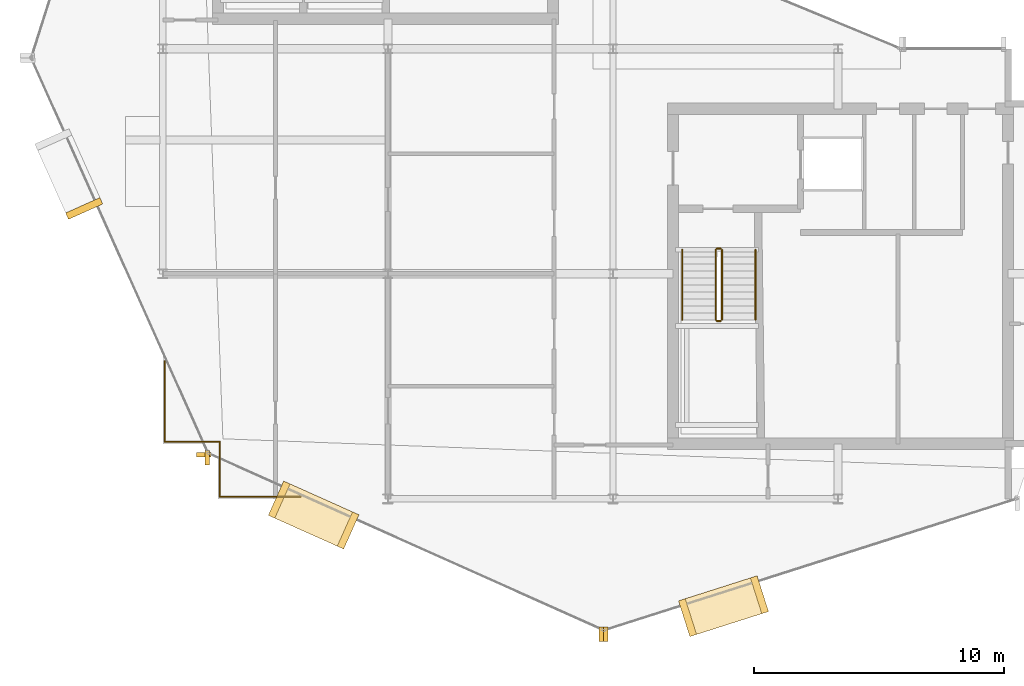
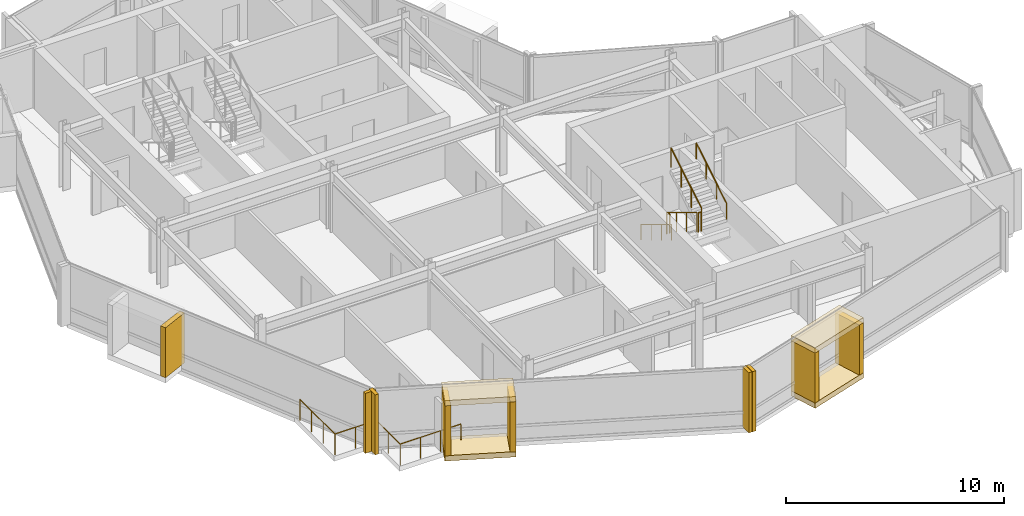
# One storey, part 16 of 19: 13 coverings, 10 railings.
"""IFC4 building model written with IfcOpenShell, lengths in metres."""

from ifc_helpers import new_model, si_unit, direction, frame, origin, origin_2d, place, context, subcontext, project, spatial, rectangle, circle, extrude, material, layer, layer_set, type_object, element, save


model = new_model("IFC4")

# Units and contexts
model_context = context("Model", 3, precision=1e-05, world=origin(), true_north=direction((0.0, 1.0)))
body_context = subcontext(model_context, "Body", "Model", "MODEL_VIEW")
ifc_project = project(units=[si_unit("LENGTHUNIT", "METRE"), si_unit("AREAUNIT", "SQUARE_METRE"), si_unit("VOLUMEUNIT", "CUBIC_METRE"), si_unit("PLANEANGLEUNIT", "RADIAN"), si_unit("MASSUNIT", "GRAM", prefix="KILO")], contexts=[model_context])

# Site, building, storey
site_placement = place(None, origin())
site = spatial("IfcSite", under=ifc_project, at=site_placement, CompositionType="ELEMENT")
building_placement = place(site_placement, origin())
building = spatial("IfcBuilding", under=site, at=building_placement, Name="Solvaryn Broadcast Tower", CompositionType="ELEMENT")
storey_placement = place(building_placement, frame((0.0, 0.0, 281.5)))
storey = spatial("IfcBuildingStorey", under=building, at=storey_placement, Name="L71", CompositionType="ELEMENT", Elevation=281.5)

# Coverings
ifc_material_1 = material(Name="Glazed Architectural Terracotta Rainscreen Cladding", Category="masonry")
ifc_layer_1 = layer(ifc_material_1, 0.280029296875)
ifc_layer_set_1 = layer_set([ifc_layer_1], Name="CV-TC-CLAD")
covering_type_1 = type_object("IfcCoveringType", Name="CV-TC-CLAD", PredefinedType="CLADDING", material=ifc_layer_set_1)
covering_1_placement = place(storey_placement, frame((5.852783203125, 20.61181640625, 0.280029296875), z_axis=(0.0, 0.0, 1.0), x_axis=(0.408489773781, -0.91276289622, 0.0)))
element("IfcCovering", 1, at=covering_1_placement, inside=storey, type_object=covering_type_1, Name="L71 Projecting Stone Window Box Cheek 2-2", PredefinedType="CLADDING", context=body_context, shape_type="SweptSolid", body=[
    extrude(rectangle(XDim=0.280029296875, YDim=1.5, at=origin_2d()), origin(), (0.0, 0.0, 1.0), 2.81005859375),
])
for number, where, z_axis, x_axis, name in (
    (2, (15.030029296875, 8.35107421875, 3.080078125), (0.0, 0.0, 1.0), (0.91276289622, -0.408489773781, 0.0), "L71 Projecting Stone Window Box Hood 3"),
    (3, (15.030029296875, 8.35107421875, -0.01025390625), (0.0, 0.0, 1.0), (0.91276289622, -0.408489773781, 0.0), "L71 Projecting Stone Window Box Sill 3"),
):
    element("IfcCovering", number, at=place(storey_placement, frame(where, z_axis=z_axis, x_axis=x_axis)), inside=storey, type_object=covering_type_1, Name=name, PredefinedType="CLADDING", context=body_context, shape_type="SweptSolid", body=[
        extrude(rectangle(XDim=3.300048828125, YDim=1.5, at=origin_2d()), origin(), (0.0, 0.0, 1.0), 0.300048828125),
    ])
for number, where, z_axis, x_axis, name in (
    (4, (13.651611328125, 8.9677734375, 0.280029296875), (0.0, 0.0, 1.0), (0.91276289622, -0.408489773781, 0.0), "L71 Projecting Stone Window Box Cheek 3-1"),
    (5, (16.408203125, 7.734130859375, 0.280029296875), (0.0, 0.0, 1.0), (0.91276289622, -0.408489773781, 0.0), "L71 Projecting Stone Window Box Cheek 3-2"),
):
    element("IfcCovering", number, at=place(storey_placement, frame(where, z_axis=z_axis, x_axis=x_axis)), inside=storey, type_object=covering_type_1, Name=name, PredefinedType="CLADDING", context=body_context, shape_type="SweptSolid", body=[
        extrude(rectangle(XDim=0.280029296875, YDim=1.5, at=origin_2d()), origin(), (0.0, 0.0, 1.0), 2.81005859375),
    ])
for number, where, z_axis, x_axis, name in (
    (6, (31.4208984375, 4.7060546875, 3.080078125), (0.0, 0.0, 1.0), (0.952820541996, 0.303534206887, 0.0), "L71 Projecting Stone Window Box Hood 4"),
    (7, (31.4208984375, 4.7060546875, -0.01025390625), (0.0, 0.0, 1.0), (0.952820541996, 0.303534206887, 0.0), "L71 Projecting Stone Window Box Sill 4"),
):
    element("IfcCovering", number, at=place(storey_placement, frame(where, z_axis=z_axis, x_axis=x_axis)), inside=storey, type_object=covering_type_1, Name=name, PredefinedType="CLADDING", context=body_context, shape_type="SweptSolid", body=[
        extrude(rectangle(XDim=3.300048828125, YDim=1.5, at=origin_2d()), origin(), (0.0, 0.0, 1.0), 0.300048828125),
    ])
for number, where, z_axis, x_axis, name in (
    (8, (29.982177734375, 4.247802734375, 0.280029296875), (0.0, 0.0, 1.0), (0.952820541996, 0.303534206887, 0.0), "L71 Projecting Stone Window Box Cheek 4-1"),
    (9, (32.85986328125, 5.164306640625, 0.280029296875), (0.0, 0.0, 1.0), (0.952820541996, 0.303534206887, 0.0), "L71 Projecting Stone Window Box Cheek 4-2"),
):
    element("IfcCovering", number, at=place(storey_placement, frame(where, z_axis=z_axis, x_axis=x_axis)), inside=storey, type_object=covering_type_1, Name=name, PredefinedType="CLADDING", context=body_context, shape_type="SweptSolid", body=[
        extrude(rectangle(XDim=0.280029296875, YDim=1.5, at=origin_2d()), origin(), (0.0, 0.0, 1.0), 2.81005859375),
    ])
ifc_material_2 = material(Name="Extruded Architectural Terracotta Fin", Category="masonry")
ifc_layer_2 = layer(ifc_material_2, 0.179931640625)
ifc_layer_set_2 = layer_set([ifc_layer_2], Name="CV-TC-FIN")
covering_type_2 = type_object("IfcCoveringType", Name="CV-TC-FIN", PredefinedType="USERDEFINED", material=ifc_layer_set_2)
covering_2_placement = place(storey_placement, frame((10.640380859375, 10.77099609375, 0.0), z_axis=(0.0, 0.0, 1.0), x_axis=(1.0, 0.0, 0.0)))
element("IfcCovering", 10, at=covering_2_placement, inside=storey, type_object=covering_type_2, Name="L71 Terracotta Vertical Fin FIN-L71-DR2-M01", ObjectType="FIN", PredefinedType="USERDEFINED", context=body_context, shape_type="SweptSolid", body=[
    extrude(rectangle(XDim=0.580078125, YDim=0.179931640625, at=origin_2d()), origin(), (0.0, 0.0, 1.0), 3.3701171875),
])
for number, where, z_axis, x_axis, name in (
    (11, (10.77099609375, 10.640380859375, 0.0), (0.0, 0.0, 1.0), (1.0, 0.0, 0.0), "L71 Terracotta Vertical Fin FIN-L71-DR3-M00"),
    (12, (26.53515625, 3.5859375, 0.0), (0.0, 0.0, 1.0), (1.0, 0.0, 0.0), "L71 Terracotta Vertical Fin FIN-L71-DR3-M01"),
    (13, (26.71923828125, 3.575439453125, 0.0), (0.0, 0.0, 1.0), (1.0, 0.0, 0.0), "L71 Terracotta Vertical Fin FIN-L71-DR4-M00"),
):
    element("IfcCovering", number, at=place(storey_placement, frame(where, z_axis=z_axis, x_axis=x_axis)), inside=storey, type_object=covering_type_2, Name=name, ObjectType="FIN", PredefinedType="USERDEFINED", context=body_context, shape_type="SweptSolid", body=[
        extrude(rectangle(XDim=0.179931640625, YDim=0.580078125, at=origin_2d()), origin(), (0.0, 0.0, 1.0), 3.3701171875),
    ])

# Railings
ifc_material_3 = material(Name="Stainless Steel and Laminated Glass Guard", Category="steel")
railing_type_1 = type_object("IfcRailingType", Name="RL-SKYG-1200", PredefinedType="BALUSTRADE", material=ifc_material_3)
railing_1_placement = place(storey_placement, frame((9.080078125, 14.5, 0.0)))
element("IfcRailing", 14, at=railing_1_placement, inside=storey, type_object=railing_type_1, Name="L71 Upper SW Corner Balustrade 1", PredefinedType="BALUSTRADE", context=body_context, shape_type="SweptSolid", body=[
    extrude(circle(Radius=0.02392578125, at=origin_2d()), frame((0.0, 0.0, 1.17578125), z_axis=(0.0, -1.0, 0.0), x_axis=(1.0, 0.0, 0.0)), (0.0, 0.0, 1.0), 3.219970703125),
    extrude(circle(Radius=0.02099609375, at=origin_2d()), origin(), (0.0, 0.0, 1.0), 1.15185546875),
    extrude(circle(Radius=0.02099609375, at=origin_2d()), frame((0.0, -1.0732421875, 0.0)), (0.0, 0.0, 1.0), 1.15185546875),
    extrude(circle(Radius=0.02099609375, at=origin_2d()), frame((0.0, -2.146728515625, 0.0)), (0.0, 0.0, 1.0), 1.15185546875),
    extrude(circle(Radius=0.02099609375, at=origin_2d()), frame((0.0, -3.219970703125, 0.0)), (0.0, 0.0, 1.0), 1.15185546875),
])
railing_2_placement = place(storey_placement, frame((9.080078125, 11.280029296875, 0.0)))
element("IfcRailing", 15, at=railing_2_placement, inside=storey, type_object=railing_type_1, Name="L71 Upper SW Corner Balustrade 2", PredefinedType="BALUSTRADE", context=body_context, shape_type="SweptSolid", body=[
    extrude(circle(Radius=0.02392578125, at=origin_2d()), frame((0.0, 0.0, 1.17578125), z_axis=(1.0, 0.0, 0.0), x_axis=(0.0, 1.0, 0.0)), (0.0, 0.0, 1.0), 2.199951171875),
    extrude(circle(Radius=0.02099609375, at=origin_2d()), origin(), (0.0, 0.0, 1.0), 1.15185546875),
    extrude(circle(Radius=0.02099609375, at=origin_2d()), frame((1.10009765625, 0.0, 0.0)), (0.0, 0.0, 1.0), 1.15185546875),
    extrude(circle(Radius=0.02099609375, at=origin_2d()), frame((2.199951171875, 0.0, 0.0)), (0.0, 0.0, 1.0), 1.15185546875),
])
railing_3_placement = place(storey_placement, frame((11.280029296875, 11.280029296875, 0.0)))
element("IfcRailing", 16, at=railing_3_placement, inside=storey, type_object=railing_type_1, Name="L71 Upper SW Corner Balustrade 3", PredefinedType="BALUSTRADE", context=body_context, shape_type="SweptSolid", body=[
    extrude(circle(Radius=0.02392578125, at=origin_2d()), frame((0.0, 0.0, 1.17578125), z_axis=(0.0, -1.0, 0.0), x_axis=(1.0, 0.0, 0.0)), (0.0, 0.0, 1.0), 2.199951171875),
    extrude(circle(Radius=0.02099609375, at=origin_2d()), origin(), (0.0, 0.0, 1.0), 1.15185546875),
    extrude(circle(Radius=0.02099609375, at=origin_2d()), frame((0.0, -1.10009765625, 0.0)), (0.0, 0.0, 1.0), 1.15185546875),
    extrude(circle(Radius=0.02099609375, at=origin_2d()), frame((0.0, -2.199951171875, 0.0)), (0.0, 0.0, 1.0), 1.15185546875),
])
railing_4_placement = place(storey_placement, frame((11.280029296875, 9.080078125, 0.0)))
element("IfcRailing", 17, at=railing_4_placement, inside=storey, type_object=railing_type_1, Name="L71 Upper SW Corner Balustrade 4", PredefinedType="BALUSTRADE", context=body_context, shape_type="SweptSolid", body=[
    extrude(circle(Radius=0.02392578125, at=origin_2d()), frame((0.0, 0.0, 1.17578125), z_axis=(1.0, 0.0, 0.0), x_axis=(0.0, 1.0, 0.0)), (0.0, 0.0, 1.0), 3.219970703125),
    extrude(circle(Radius=0.02099609375, at=origin_2d()), origin(), (0.0, 0.0, 1.0), 1.15185546875),
    extrude(circle(Radius=0.02099609375, at=origin_2d()), frame((1.0732421875, 0.0, 0.0)), (0.0, 0.0, 1.0), 1.15185546875),
    extrude(circle(Radius=0.02099609375, at=origin_2d()), frame((2.146728515625, 0.0, 0.0)), (0.0, 0.0, 1.0), 1.15185546875),
    extrude(circle(Radius=0.02099609375, at=origin_2d()), frame((3.219970703125, 0.0, 0.0)), (0.0, 0.0, 1.0), 1.15185546875),
])
ifc_material_4 = material(Name="Painted Steel Stair Well Guard", Category="steel")
railing_type_2 = type_object("IfcRailingType", Name="RL-STAIR-GUARD", PredefinedType="BALUSTRADE", material=ifc_material_4)
railing_5_placement = place(storey_placement, frame((31.110107421875, 18.9599609375, 0.168212890625)))
element("IfcRailing", 18, at=railing_5_placement, inside=storey, type_object=railing_type_2, Name="L71 ST3 stair guard 1", PredefinedType="BALUSTRADE", context=body_context, shape_type="SweptSolid", body=[
    extrude(circle(Radius=0.02392578125, at=origin_2d()), frame((0.0, 0.0, 1.076171875), z_axis=(0.0, -0.857242210791, 0.514913383045), x_axis=(1.0, 0.0, 0.0)), (0.0, 0.0, 1.0), 3.266357421875),
    extrude(circle(Radius=0.02099609375, at=origin_2d()), origin(), (0.0, 0.0, 1.0), 1.052001953125),
    extrude(circle(Radius=0.02099609375, at=origin_2d()), frame((0.0, -0.933349609375, 0.560546875)), (0.0, 0.0, 1.0), 1.052001953125),
    extrude(circle(Radius=0.02099609375, at=origin_2d()), frame((0.0, -1.86669921875, 1.121337890625)), (0.0, 0.0, 1.0), 1.052001953125),
    extrude(circle(Radius=0.02099609375, at=origin_2d()), frame((0.0, -2.800048828125, 1.681884765625)), (0.0, 0.0, 1.0), 1.052001953125),
])
railing_6_placement = place(storey_placement, frame((31.159912109375, 16.110107421875, 1.85009765625)))
element("IfcRailing", 19, at=railing_6_placement, inside=storey, type_object=railing_type_2, Name="L71 ST3 stair guard 2", PredefinedType="BALUSTRADE", context=body_context, shape_type="SweptSolid", body=[
    extrude(circle(Radius=0.02392578125, at=origin_2d()), frame((0.0, 0.0, 1.076171875), z_axis=(1.0, 0.0, 0.0), x_axis=(0.0, 1.0, 0.0)), (0.0, 0.0, 1.0), 0.150146484375),
    extrude(circle(Radius=0.02099609375, at=origin_2d()), origin(), (0.0, 0.0, 1.0), 1.052001953125),
    extrude(circle(Radius=0.02099609375, at=origin_2d()), frame((0.150146484375, 0.0, 0.0)), (0.0, 0.0, 1.0), 1.052001953125),
])
railing_7_placement = place(storey_placement, frame((31.360107421875, 16.159912109375, 2.01806640625)))
element("IfcRailing", 20, at=railing_7_placement, inside=storey, type_object=railing_type_2, Name="L71 ST3 stair guard 3", PredefinedType="BALUSTRADE", context=body_context, shape_type="SweptSolid", body=[
    extrude(circle(Radius=0.02392578125, at=origin_2d()), frame((0.0, 0.0, 1.076171875), z_axis=(0.0, 0.857242210791, 0.514913383045), x_axis=(-1.0, 0.0, 0.0)), (0.0, 0.0, 1.0), 3.266357421875),
    extrude(circle(Radius=0.02099609375, at=origin_2d()), origin(), (0.0, 0.0, 1.0), 1.052001953125),
    extrude(circle(Radius=0.02099609375, at=origin_2d()), frame((0.0, 0.933349609375, 0.560546875)), (0.0, 0.0, 1.0), 1.052001953125),
    extrude(circle(Radius=0.02099609375, at=origin_2d()), frame((0.0, 1.86669921875, 1.121337890625)), (0.0, 0.0, 1.0), 1.052001953125),
    extrude(circle(Radius=0.02099609375, at=origin_2d()), frame((0.0, 2.800048828125, 1.681884765625)), (0.0, 0.0, 1.0), 1.052001953125),
])
railing_8_placement = place(storey_placement, frame((31.159912109375, 19.010009765625, 0.0)))
element("IfcRailing", 21, at=railing_8_placement, inside=storey, type_object=railing_type_2, Name="L71 ST3 stair guard 4", PredefinedType="BALUSTRADE", context=body_context, shape_type="SweptSolid", body=[
    extrude(circle(Radius=0.02392578125, at=origin_2d()), frame((0.0, 0.0, 1.076171875), z_axis=(1.0, 0.0, 0.0), x_axis=(0.0, 1.0, 0.0)), (0.0, 0.0, 1.0), 0.150146484375),
    extrude(circle(Radius=0.02099609375, at=origin_2d()), origin(), (0.0, 0.0, 1.0), 1.052001953125),
    extrude(circle(Radius=0.02099609375, at=origin_2d()), frame((0.150146484375, 0.0, 0.0)), (0.0, 0.0, 1.0), 1.052001953125),
])
ifc_material_5 = material(Name="Brushed Stainless Steel Tubular Handrail", Category="steel")
railing_type_3 = type_object("IfcRailingType", Name="RL-STAIR-HANDRAIL", PredefinedType="HANDRAIL", material=ifc_material_5)
railing_9_placement = place(storey_placement, frame((29.77001953125, 18.9599609375, 0.168212890625)))
element("IfcRailing", 22, at=railing_9_placement, inside=storey, type_object=railing_type_3, Name="L71 ST3 stair handrail 1", PredefinedType="HANDRAIL", context=body_context, shape_type="SweptSolid", body=[
    extrude(circle(Radius=0.02392578125, at=origin_2d()), frame((0.0, 0.0, 0.8759765625), z_axis=(0.0, -0.857242210791, 0.514913383045), x_axis=(1.0, 0.0, 0.0)), (0.0, 0.0, 1.0), 3.266357421875),
    extrude(circle(Radius=0.02099609375, at=origin_2d()), origin(), (0.0, 0.0, 1.0), 0.851806640625),
    extrude(circle(Radius=0.02099609375, at=origin_2d()), frame((0.0, -0.933349609375, 0.560546875)), (0.0, 0.0, 1.0), 0.851806640625),
    extrude(circle(Radius=0.02099609375, at=origin_2d()), frame((0.0, -1.86669921875, 1.121337890625)), (0.0, 0.0, 1.0), 0.851806640625),
    extrude(circle(Radius=0.02099609375, at=origin_2d()), frame((0.0, -2.800048828125, 1.681884765625)), (0.0, 0.0, 1.0), 0.851806640625),
])
railing_10_placement = place(storey_placement, frame((32.699951171875, 16.159912109375, 2.01806640625)))
element("IfcRailing", 23, at=railing_10_placement, inside=storey, type_object=railing_type_3, Name="L71 ST3 stair handrail 2", PredefinedType="HANDRAIL", context=body_context, shape_type="SweptSolid", body=[
    extrude(circle(Radius=0.02392578125, at=origin_2d()), frame((0.0, 0.0, 0.8759765625), z_axis=(0.0, 0.857242210791, 0.514913383045), x_axis=(-1.0, 0.0, 0.0)), (0.0, 0.0, 1.0), 3.266357421875),
    extrude(circle(Radius=0.02099609375, at=origin_2d()), origin(), (0.0, 0.0, 1.0), 0.851806640625),
    extrude(circle(Radius=0.02099609375, at=origin_2d()), frame((0.0, 0.933349609375, 0.560546875)), (0.0, 0.0, 1.0), 0.851806640625),
    extrude(circle(Radius=0.02099609375, at=origin_2d()), frame((0.0, 1.86669921875, 1.121337890625)), (0.0, 0.0, 1.0), 0.851806640625),
    extrude(circle(Radius=0.02099609375, at=origin_2d()), frame((0.0, 2.800048828125, 1.681884765625)), (0.0, 0.0, 1.0), 0.851806640625),
])

save(model, "model.ifc")
